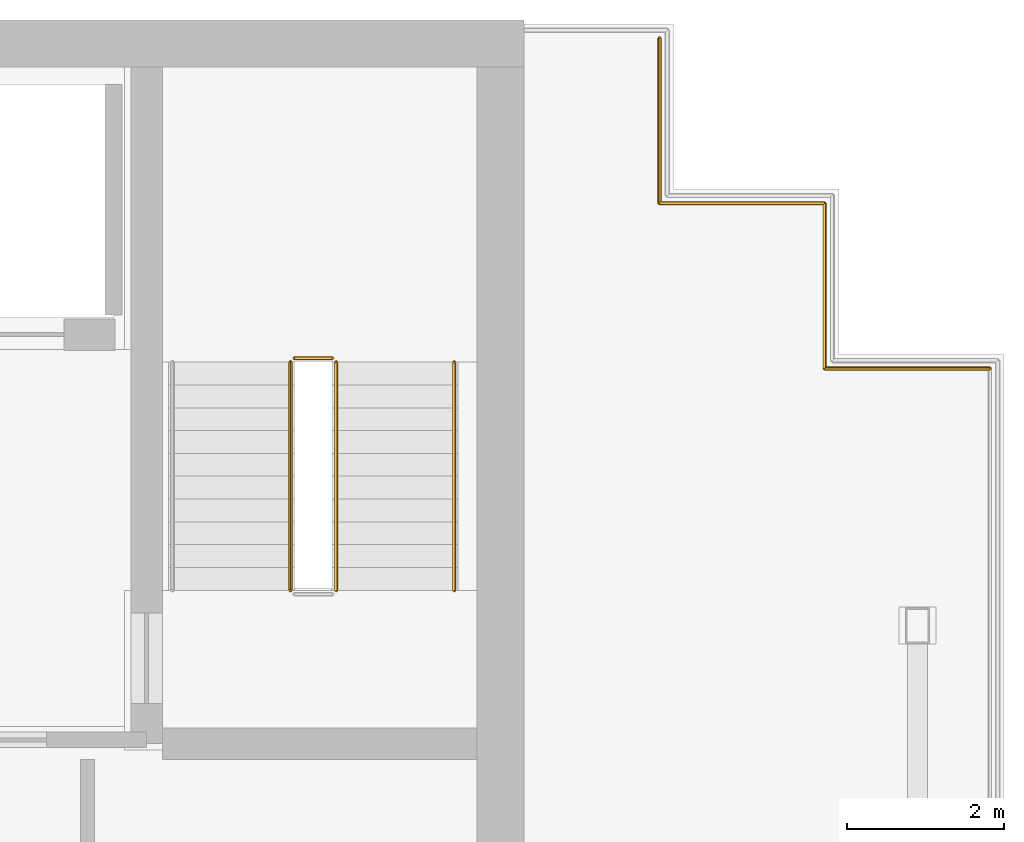
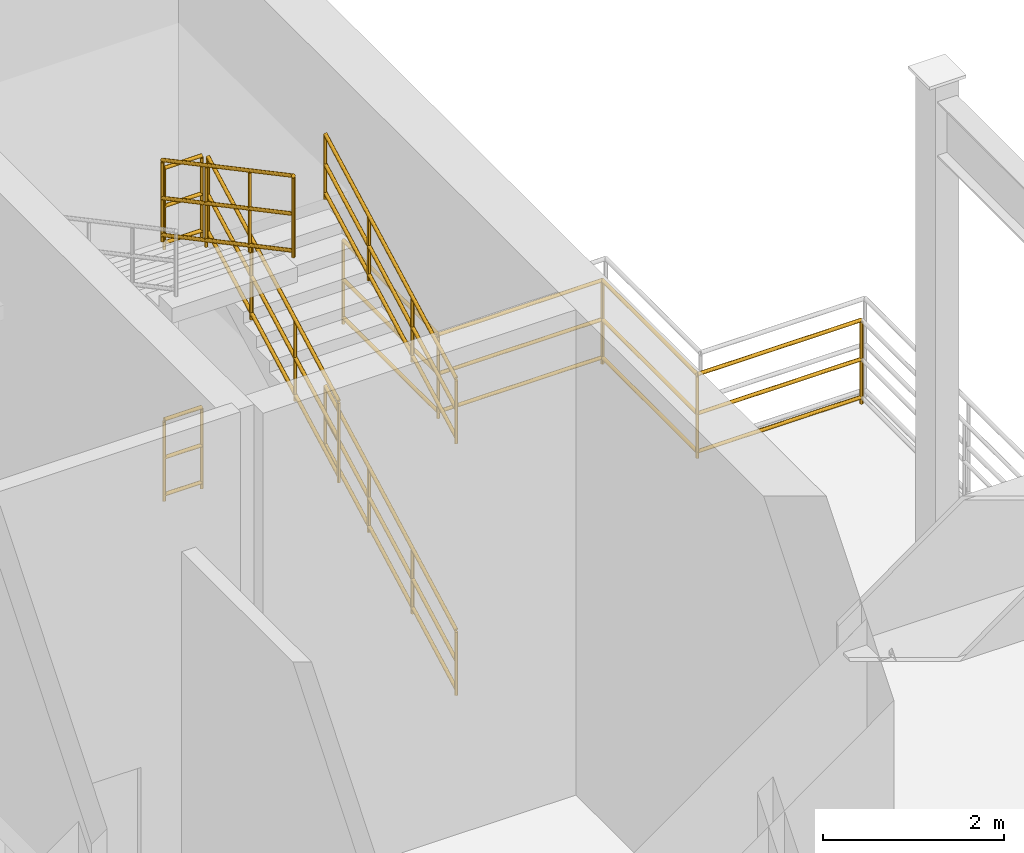
# One storey, part 7 of 7: 10 railings.
"""IFC4 building model written with IfcOpenShell, lengths in metres."""

from ifc_helpers import new_model, si_unit, direction, frame, origin, origin_2d, place, context, subcontext, project, spatial, circle, extrude, material, type_object, element, save


model = new_model("IFC4")

# Units and contexts
model_context = context("Model", 3, precision=1e-05, world=origin(), true_north=direction((0.0, 1.0)))
body_context = subcontext(model_context, "Body", "Model", "MODEL_VIEW")
ifc_project = project(units=[si_unit("LENGTHUNIT", "METRE"), si_unit("AREAUNIT", "SQUARE_METRE"), si_unit("VOLUMEUNIT", "CUBIC_METRE"), si_unit("PLANEANGLEUNIT", "RADIAN"), si_unit("MASSUNIT", "GRAM", prefix="KILO")], contexts=[model_context])

# Site, building, storey
site_placement = place(None, origin())
site = spatial("IfcSite", under=ifc_project, at=site_placement, CompositionType="ELEMENT")
building_placement = place(site_placement, origin())
building = spatial("IfcBuilding", under=site, at=building_placement, Name="Qianlan Lanfeng Residences", CompositionType="ELEMENT")
storey_placement = place(building_placement, frame((0.0, 0.0, 185.39990234375)))
storey = spatial("IfcBuildingStorey", under=building, at=storey_placement, Name="L51", CompositionType="ELEMENT", Elevation=185.39990234375)

# Railings
ifc_material_1 = material(Name="Painted Galvanised Steel Guardrail", Category="steel")
railing_type_1 = type_object("IfcRailingType", Name="GR-ST-1120", PredefinedType="GUARDRAIL", material=ifc_material_1)
railing_1_placement = place(storey_placement, frame((40.260009765625, 36.0, 1.7001953125)))
element("IfcRailing", 1, at=railing_1_placement, inside=storey, type_object=railing_type_1, Name="L51 ST-2 stair guard 2", PredefinedType="GUARDRAIL", context=body_context, shape_type="SweptSolid", body=[
    extrude(circle(Radius=0.02392578125, at=origin_2d()), frame((0.0, 0.0, 0.083984375), z_axis=(-1.0, 0.0, 0.0), x_axis=(0.0, -1.0, 0.0)), (0.0, 0.0, 1.0), 0.47998046875),
    extrude(circle(Radius=0.02392578125, at=origin_2d()), frame((0.0, 0.0, 0.58251953125), z_axis=(-1.0, 0.0, 0.0), x_axis=(0.0, -1.0, 0.0)), (0.0, 0.0, 1.0), 0.47998046875),
    extrude(circle(Radius=0.02392578125, at=origin_2d()), frame((0.0, 0.0, 1.09619140625), z_axis=(-1.0, 0.0, 0.0), x_axis=(0.0, -1.0, 0.0)), (0.0, 0.0, 1.0), 0.47998046875),
    extrude(circle(Radius=0.02099609375, at=origin_2d()), origin(), (0.0, 0.0, 1.0), 1.072021484375),
    extrude(circle(Radius=0.02099609375, at=origin_2d()), frame((-0.47998046875, 0.0, 0.0)), (0.0, 0.0, 1.0), 1.072021484375),
])
railing_2_placement = place(storey_placement, frame((40.31005859375, 33.050048828125, 3.5546875)))
element("IfcRailing", 2, at=railing_2_placement, inside=storey, type_object=railing_type_1, Name="L51 ST-2 stair guard 5", PredefinedType="GUARDRAIL", context=body_context, shape_type="SweptSolid", body=[
    extrude(circle(Radius=0.02392578125, at=origin_2d()), frame((0.0, 0.0, 0.083984375), z_axis=(0.0, 0.882505089112, 0.470302846782), x_axis=(-1.0, 0.0, 0.0)), (0.0, 0.0, 1.0), 3.285888671875),
    extrude(circle(Radius=0.02392578125, at=origin_2d()), frame((0.0, 0.0, 0.58251953125), z_axis=(0.0, 0.882505089112, 0.470302846782), x_axis=(-1.0, 0.0, 0.0)), (0.0, 0.0, 1.0), 3.285888671875),
    extrude(circle(Radius=0.02392578125, at=origin_2d()), frame((0.0, 0.0, 1.09619140625), z_axis=(0.0, 0.882505089112, 0.470302846782), x_axis=(-1.0, 0.0, 0.0)), (0.0, 0.0, 1.0), 3.285888671875),
    extrude(circle(Radius=0.02099609375, at=origin_2d()), origin(), (0.0, 0.0, 1.0), 1.072021484375),
    extrude(circle(Radius=0.02099609375, at=origin_2d()), frame((0.0, 0.966552734375, 0.51513671875)), (0.0, 0.0, 1.0), 1.072021484375),
    extrude(circle(Radius=0.02099609375, at=origin_2d()), frame((0.0, 1.933349609375, 1.0302734375)), (0.0, 0.0, 1.0), 1.072021484375),
    extrude(circle(Radius=0.02099609375, at=origin_2d()), frame((0.0, 2.89990234375, 1.54541015625)), (0.0, 0.0, 1.0), 1.072021484375),
])
railing_3_placement = place(storey_placement, frame((40.260009765625, 36.0, 5.10009765625)))
element("IfcRailing", 3, at=railing_3_placement, inside=storey, type_object=railing_type_1, Name="L51 ST-2 stair guard 6", PredefinedType="GUARDRAIL", context=body_context, shape_type="SweptSolid", body=[
    extrude(circle(Radius=0.02392578125, at=origin_2d()), frame((0.0, 0.0, 0.083984375), z_axis=(-1.0, 0.0, 0.0), x_axis=(0.0, -1.0, 0.0)), (0.0, 0.0, 1.0), 0.47998046875),
    extrude(circle(Radius=0.02392578125, at=origin_2d()), frame((0.0, 0.0, 0.58251953125), z_axis=(-1.0, 0.0, 0.0), x_axis=(0.0, -1.0, 0.0)), (0.0, 0.0, 1.0), 0.47998046875),
    extrude(circle(Radius=0.02392578125, at=origin_2d()), frame((0.0, 0.0, 1.09619140625), z_axis=(-1.0, 0.0, 0.0), x_axis=(0.0, -1.0, 0.0)), (0.0, 0.0, 1.0), 0.47998046875),
    extrude(circle(Radius=0.02099609375, at=origin_2d()), origin(), (0.0, 0.0, 1.0), 1.072021484375),
    extrude(circle(Radius=0.02099609375, at=origin_2d()), frame((-0.47998046875, 0.0, 0.0)), (0.0, 0.0, 1.0), 1.072021484375),
])
railing_4_placement = place(storey_placement, frame((39.72998046875, 35.949951171875, 5.254638671875)))
element("IfcRailing", 4, at=railing_4_placement, inside=storey, type_object=railing_type_1, Name="L51 ST-2 stair guard 7", PredefinedType="GUARDRAIL", context=body_context, shape_type="SweptSolid", body=[
    extrude(circle(Radius=0.02392578125, at=origin_2d()), frame((0.0, 0.0, 0.083984375), z_axis=(0.0, -0.882505089112, 0.470302846782), x_axis=(1.0, 0.0, 0.0)), (0.0, 0.0, 1.0), 3.285888671875),
    extrude(circle(Radius=0.02392578125, at=origin_2d()), frame((0.0, 0.0, 0.58251953125), z_axis=(0.0, -0.882505089112, 0.470302846782), x_axis=(1.0, 0.0, 0.0)), (0.0, 0.0, 1.0), 3.285888671875),
    extrude(circle(Radius=0.02392578125, at=origin_2d()), frame((0.0, 0.0, 1.09619140625), z_axis=(0.0, -0.882505089112, 0.470302846782), x_axis=(1.0, 0.0, 0.0)), (0.0, 0.0, 1.0), 3.285888671875),
    extrude(circle(Radius=0.02099609375, at=origin_2d()), origin(), (0.0, 0.0, 1.0), 1.072021484375),
    extrude(circle(Radius=0.02099609375, at=origin_2d()), frame((0.0, -0.966552734375, 0.51513671875)), (0.0, 0.0, 1.0), 1.072021484375),
    extrude(circle(Radius=0.02099609375, at=origin_2d()), frame((0.0, -1.933349609375, 1.0302734375)), (0.0, 0.0, 1.0), 1.072021484375),
    extrude(circle(Radius=0.02099609375, at=origin_2d()), frame((0.0, -2.89990234375, 1.54541015625)), (0.0, 0.0, 1.0), 1.072021484375),
])
railing_5_placement = place(storey_placement, frame((44.419921875, 40.070068359375, 0.0)))
element("IfcRailing", 5, at=railing_5_placement, inside=storey, type_object=railing_type_1, Name="L51 Wind-Slot Open Perimeter Guardrail 6", PredefinedType="GUARDRAIL", context=body_context, shape_type="SweptSolid", body=[
    extrude(circle(Radius=0.02392578125, at=origin_2d()), frame((0.0, 0.0, 0.083984375), z_axis=(0.0, -1.0, 0.0), x_axis=(1.0, 0.0, 0.0)), (0.0, 0.0, 1.0), 2.10009765625),
    extrude(circle(Radius=0.02392578125, at=origin_2d()), frame((0.0, 0.0, 0.597900390625), z_axis=(0.0, -1.0, 0.0), x_axis=(1.0, 0.0, 0.0)), (0.0, 0.0, 1.0), 2.10009765625),
    extrude(circle(Radius=0.02392578125, at=origin_2d()), frame((0.0, 0.0, 1.1259765625), z_axis=(0.0, -1.0, 0.0), x_axis=(1.0, 0.0, 0.0)), (0.0, 0.0, 1.0), 2.10009765625),
    extrude(circle(Radius=0.02099609375, at=origin_2d()), origin(), (0.0, 0.0, 1.0), 1.101806640625),
    extrude(circle(Radius=0.02099609375, at=origin_2d()), frame((0.0, -2.10009765625, 0.0)), (0.0, 0.0, 1.0), 1.101806640625),
])
railing_6_placement = place(storey_placement, frame((44.419921875, 37.969970703125, 0.0)))
element("IfcRailing", 6, at=railing_6_placement, inside=storey, type_object=railing_type_1, Name="L51 Wind-Slot Open Perimeter Guardrail 7", PredefinedType="GUARDRAIL", context=body_context, shape_type="SweptSolid", body=[
    extrude(circle(Radius=0.02392578125, at=origin_2d()), frame((0.0, 0.0, 0.083984375), z_axis=(1.0, 0.0, 0.0), x_axis=(0.0, 1.0, 0.0)), (0.0, 0.0, 1.0), 2.10009765625),
    extrude(circle(Radius=0.02392578125, at=origin_2d()), frame((0.0, 0.0, 0.597900390625), z_axis=(1.0, 0.0, 0.0), x_axis=(0.0, 1.0, 0.0)), (0.0, 0.0, 1.0), 2.10009765625),
    extrude(circle(Radius=0.02392578125, at=origin_2d()), frame((0.0, 0.0, 1.1259765625), z_axis=(1.0, 0.0, 0.0), x_axis=(0.0, 1.0, 0.0)), (0.0, 0.0, 1.0), 2.10009765625),
    extrude(circle(Radius=0.02099609375, at=origin_2d()), origin(), (0.0, 0.0, 1.0), 1.101806640625),
    extrude(circle(Radius=0.02099609375, at=origin_2d()), frame((2.10009765625, 0.0, 0.0)), (0.0, 0.0, 1.0), 1.101806640625),
])
railing_7_placement = place(storey_placement, frame((46.52001953125, 37.969970703125, 0.0)))
element("IfcRailing", 7, at=railing_7_placement, inside=storey, type_object=railing_type_1, Name="L51 Wind-Slot Open Perimeter Guardrail 8", PredefinedType="GUARDRAIL", context=body_context, shape_type="SweptSolid", body=[
    extrude(circle(Radius=0.02392578125, at=origin_2d()), frame((0.0, 0.0, 0.083984375), z_axis=(0.0, -1.0, 0.0), x_axis=(1.0, 0.0, 0.0)), (0.0, 0.0, 1.0), 2.099853515625),
    extrude(circle(Radius=0.02392578125, at=origin_2d()), frame((0.0, 0.0, 0.597900390625), z_axis=(0.0, -1.0, 0.0), x_axis=(1.0, 0.0, 0.0)), (0.0, 0.0, 1.0), 2.099853515625),
    extrude(circle(Radius=0.02392578125, at=origin_2d()), frame((0.0, 0.0, 1.1259765625), z_axis=(0.0, -1.0, 0.0), x_axis=(1.0, 0.0, 0.0)), (0.0, 0.0, 1.0), 2.099853515625),
    extrude(circle(Radius=0.02099609375, at=origin_2d()), origin(), (0.0, 0.0, 1.0), 1.101806640625),
    extrude(circle(Radius=0.02099609375, at=origin_2d()), frame((0.0, -2.099853515625, 0.0)), (0.0, 0.0, 1.0), 1.101806640625),
])
railing_8_placement = place(storey_placement, frame((46.52001953125, 35.8701171875, 0.0)))
element("IfcRailing", 8, at=railing_8_placement, inside=storey, type_object=railing_type_1, Name="L51 Wind-Slot Open Perimeter Guardrail 9", PredefinedType="GUARDRAIL", context=body_context, shape_type="SweptSolid", body=[
    extrude(circle(Radius=0.02392578125, at=origin_2d()), frame((0.0, 0.0, 0.083984375), z_axis=(1.0, 0.0, 0.0), x_axis=(0.0, 1.0, 0.0)), (0.0, 0.0, 1.0), 2.10009765625),
    extrude(circle(Radius=0.02392578125, at=origin_2d()), frame((0.0, 0.0, 0.597900390625), z_axis=(1.0, 0.0, 0.0), x_axis=(0.0, 1.0, 0.0)), (0.0, 0.0, 1.0), 2.10009765625),
    extrude(circle(Radius=0.02392578125, at=origin_2d()), frame((0.0, 0.0, 1.1259765625), z_axis=(1.0, 0.0, 0.0), x_axis=(0.0, 1.0, 0.0)), (0.0, 0.0, 1.0), 2.10009765625),
    extrude(circle(Radius=0.02099609375, at=origin_2d()), origin(), (0.0, 0.0, 1.0), 1.101806640625),
    extrude(circle(Radius=0.02099609375, at=origin_2d()), frame((2.10009765625, 0.0, 0.0)), (0.0, 0.0, 1.0), 1.101806640625),
])
ifc_material_2 = material(Name="Brushed Stainless Steel Handrail", Category="steel")
railing_type_2 = type_object("IfcRailingType", Name="HR-ST-920", PredefinedType="HANDRAIL", material=ifc_material_2)
railing_9_placement = place(storey_placement, frame((41.81005859375, 33.050048828125, 0.154541015625)))
element("IfcRailing", 9, at=railing_9_placement, inside=storey, type_object=railing_type_2, Name="L51 ST-2 stair handrail 1", PredefinedType="HANDRAIL", context=body_context, shape_type="SweptSolid", body=[
    extrude(circle(Radius=0.02392578125, at=origin_2d()), frame((0.0, 0.0, 0.083984375), z_axis=(0.0, 0.882474251534, 0.470360707734), x_axis=(-1.0, 0.0, 0.0)), (0.0, 0.0, 1.0), 3.2861328125),
    extrude(circle(Radius=0.02392578125, at=origin_2d()), frame((0.0, 0.0, 0.468017578125), z_axis=(0.0, 0.882474251534, 0.470360707734), x_axis=(-1.0, 0.0, 0.0)), (0.0, 0.0, 1.0), 3.2861328125),
    extrude(circle(Radius=0.02392578125, at=origin_2d()), frame((0.0, 0.0, 0.8759765625), z_axis=(0.0, 0.882474251534, 0.470360707734), x_axis=(-1.0, 0.0, 0.0)), (0.0, 0.0, 1.0), 3.2861328125),
    extrude(circle(Radius=0.02099609375, at=origin_2d()), origin(), (0.0, 0.0, 1.0), 0.851806640625),
    extrude(circle(Radius=0.02099609375, at=origin_2d()), frame((0.0, 0.966552734375, 0.51513671875)), (0.0, 0.0, 1.0), 0.851806640625),
    extrude(circle(Radius=0.02099609375, at=origin_2d()), frame((0.0, 1.933349609375, 1.030517578125)), (0.0, 0.0, 1.0), 0.851806640625),
    extrude(circle(Radius=0.02099609375, at=origin_2d()), frame((0.0, 2.89990234375, 1.545654296875)), (0.0, 0.0, 1.0), 0.851806640625),
])
railing_10_placement = place(storey_placement, frame((41.81005859375, 33.050048828125, 3.5546875)))
element("IfcRailing", 10, at=railing_10_placement, inside=storey, type_object=railing_type_2, Name="L51 ST-2 stair handrail 3", PredefinedType="HANDRAIL", context=body_context, shape_type="SweptSolid", body=[
    extrude(circle(Radius=0.02392578125, at=origin_2d()), frame((0.0, 0.0, 0.083984375), z_axis=(0.0, 0.882505089112, 0.470302846782), x_axis=(-1.0, 0.0, 0.0)), (0.0, 0.0, 1.0), 3.285888671875),
    extrude(circle(Radius=0.02392578125, at=origin_2d()), frame((0.0, 0.0, 0.468017578125), z_axis=(0.0, 0.882505089112, 0.470302846782), x_axis=(-1.0, 0.0, 0.0)), (0.0, 0.0, 1.0), 3.285888671875),
    extrude(circle(Radius=0.02392578125, at=origin_2d()), frame((0.0, 0.0, 0.8759765625), z_axis=(0.0, 0.882505089112, 0.470302846782), x_axis=(-1.0, 0.0, 0.0)), (0.0, 0.0, 1.0), 3.285888671875),
    extrude(circle(Radius=0.02099609375, at=origin_2d()), origin(), (0.0, 0.0, 1.0), 0.851806640625),
    extrude(circle(Radius=0.02099609375, at=origin_2d()), frame((0.0, 0.966552734375, 0.51513671875)), (0.0, 0.0, 1.0), 0.851806640625),
    extrude(circle(Radius=0.02099609375, at=origin_2d()), frame((0.0, 1.933349609375, 1.0302734375)), (0.0, 0.0, 1.0), 0.851806640625),
    extrude(circle(Radius=0.02099609375, at=origin_2d()), frame((0.0, 2.89990234375, 1.54541015625)), (0.0, 0.0, 1.0), 0.851806640625),
])

save(model, "model.ifc")
